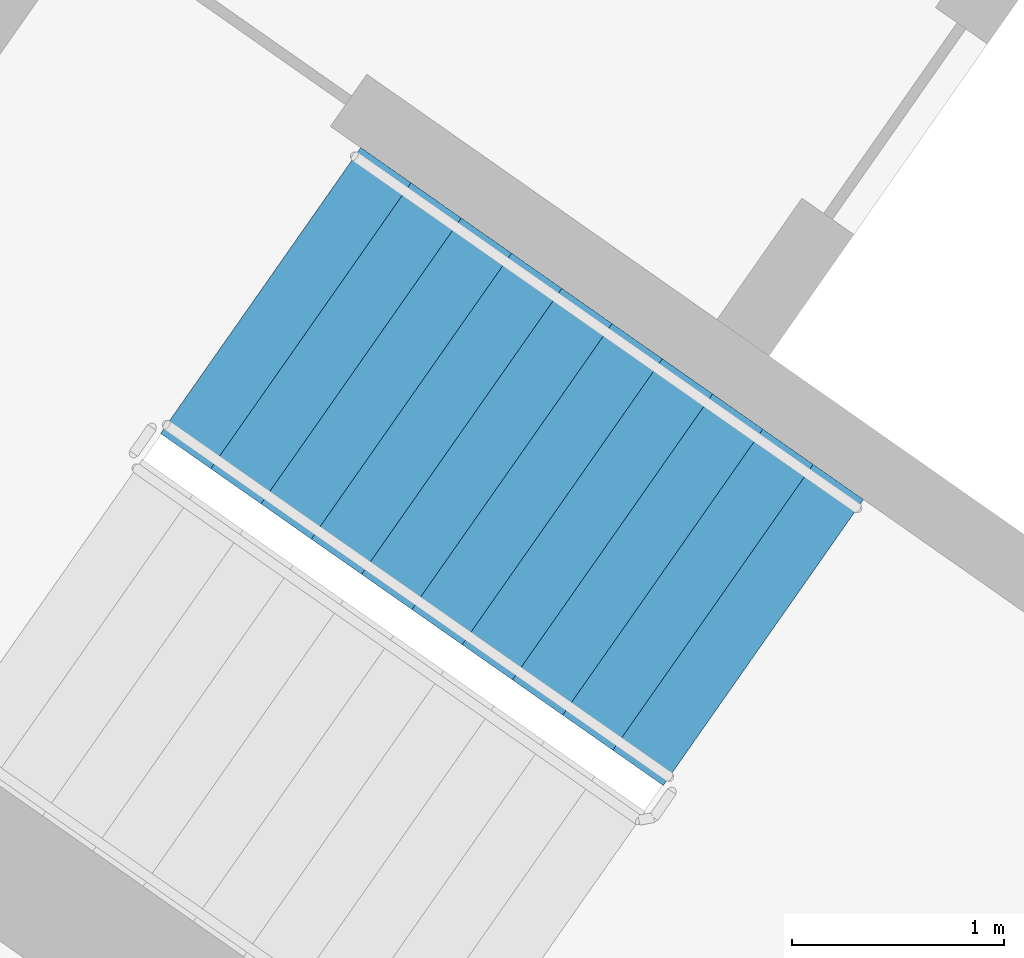
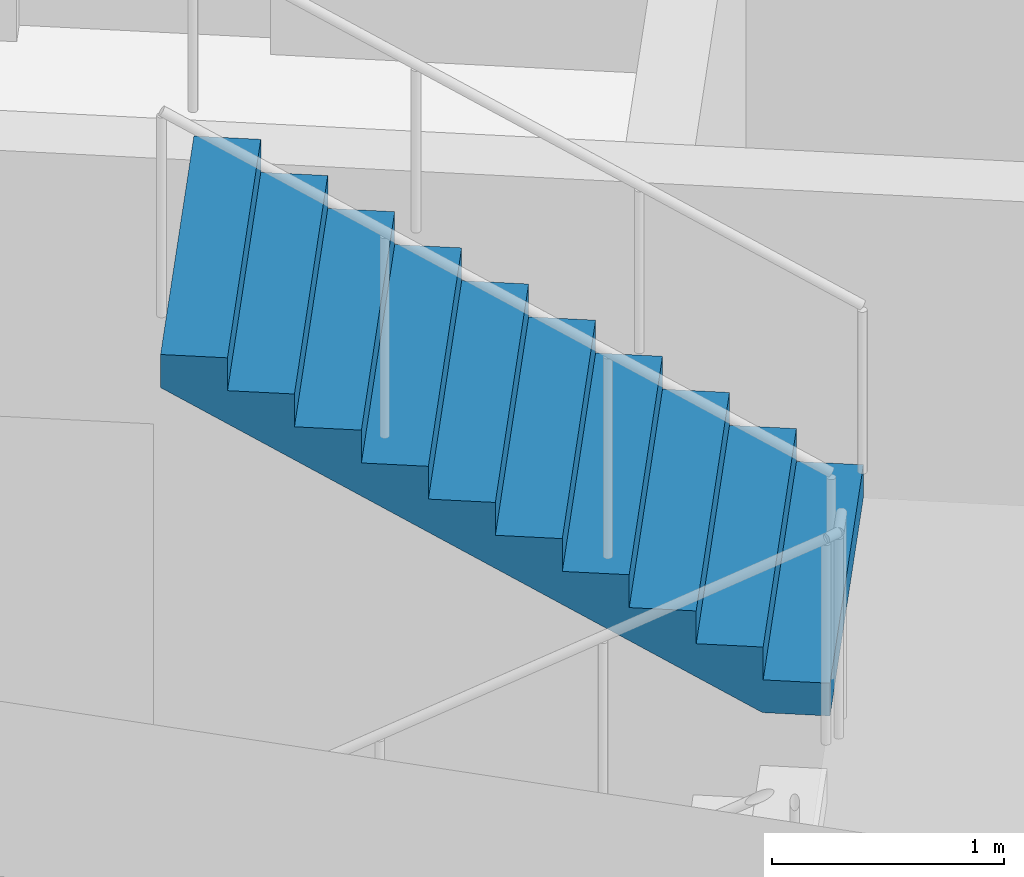
# One storey, part 9 of 29: 1 stair flight, 1 element without a shape of its own.
"""IFC4 building model written with IfcOpenShell, lengths in metres."""

from ifc_helpers import new_model, si_unit, direction, frame, origin, place, context, subcontext, project, spatial, faceted_brep, material, type_object, element, aggregate, save


model = new_model("IFC4")

# Units and contexts
model_context = context("Model", 3, precision=1e-05, world=origin(), true_north=direction((0.0, 1.0)))
body_context = subcontext(model_context, "Body", "Model", "MODEL_VIEW")
ifc_project = project(units=[si_unit("LENGTHUNIT", "METRE"), si_unit("AREAUNIT", "SQUARE_METRE"), si_unit("VOLUMEUNIT", "CUBIC_METRE"), si_unit("PLANEANGLEUNIT", "RADIAN"), si_unit("MASSUNIT", "GRAM", prefix="KILO")], contexts=[model_context])

# Site, building, storey
site_placement = place(None, origin())
site = spatial("IfcSite", under=ifc_project, at=site_placement, CompositionType="ELEMENT")
building_placement = place(site_placement, origin())
building = spatial("IfcBuilding", under=site, at=building_placement, Name="Qamariyya Broadcast Tower", CompositionType="ELEMENT")
storey_placement = place(building_placement, frame((0.0, 0.0, 258.10009765625)))
storey = spatial("IfcBuildingStorey", under=building, at=storey_placement, Name="L62", CompositionType="ELEMENT", Elevation=258.10009765625)

# Stair, stair flight
ifc_material = material(Name="Concrete C50/60", Category="concrete")
stair_type = type_object("IfcStairType", Name="Exit stair 22 risers of 173 mm", PredefinedType="HALF_TURN_STAIR", material=ifc_material)
stair_placement = place(storey_placement, origin())
stair = element("IfcStair", 1, at=stair_placement, inside=storey, type_object=stair_type, Name="L62 Stair W1", PredefinedType="HALF_TURN_STAIR")
stair_flight_type = type_object("IfcStairFlightType", Name="Exit stair flight 11 risers of 173 mm", PredefinedType="STRAIGHT", material=ifc_material)
stair_flight_placement = place(storey_placement, frame((-43.660888671875, -57.17138671875, 1.89990234375), z_axis=(0.0, 0.0, 1.0), x_axis=(-0.819152044289, 0.573576436351, 0.0)))
stair_flight = element("IfcStairFlight", 2, at=stair_flight_placement, type_object=stair_flight_type, Name="ST-W1 flight 2", NumberOfRisers=11, NumberOfTreads=10, PredefinedType="STRAIGHT", RiserHeight=0.172727273, TreadLength=0.29, context=body_context, shape_type="Brep", body=[
    faceted_brep([(0.0, 0.824951171875, 0.0), (0.0, 0.824951171875, 0.172607421875), (0.2900390625, 0.824951171875, 0.172607421875), (0.2900390625, 0.824951171875, 0.345458984375), (0.580078125, 0.824951171875, 0.345458984375), (0.580078125, 0.824951171875, 0.51806640625), (0.8701171875, 0.824951171875, 0.51806640625), (0.8701171875, 0.824951171875, 0.69091796875), (1.159912109375, 0.824951171875, 0.69091796875), (1.159912109375, 0.824951171875, 0.863525390625), (1.449951171875, 0.824951171875, 0.863525390625), (1.449951171875, 0.824951171875, 1.036376953125), (1.739990234375, 0.824951171875, 1.036376953125), (1.739990234375, 0.824951171875, 1.208984375), (2.030029296875, 0.824951171875, 1.208984375), (2.030029296875, 0.824951171875, 1.3818359375), (2.320068359375, 0.824951171875, 1.3818359375), (2.320068359375, 0.824951171875, 1.554443359375), (2.610107421875, 0.824951171875, 1.554443359375), (2.610107421875, 0.824951171875, 1.727294921875), (2.89990234375, 0.824951171875, 1.727294921875), (2.89990234375, 0.824951171875, 1.552734375), (0.29296875, 0.824951171875, 0.0), (0.29296875, -0.824951171875, 0.0), (2.89990234375, -0.824951171875, 1.552734375), (2.89990234375, -0.824951171875, 1.727294921875), (2.610107421875, -0.824951171875, 1.727294921875), (2.610107421875, -0.824951171875, 1.554443359375), (2.320068359375, -0.824951171875, 1.554443359375), (2.320068359375, -0.824951171875, 1.3818359375), (2.030029296875, -0.824951171875, 1.3818359375), (2.030029296875, -0.824951171875, 1.208984375), (1.739990234375, -0.824951171875, 1.208984375), (1.739990234375, -0.824951171875, 1.036376953125), (1.449951171875, -0.824951171875, 1.036376953125), (1.449951171875, -0.824951171875, 0.863525390625), (1.159912109375, -0.824951171875, 0.863525390625), (1.159912109375, -0.824951171875, 0.69091796875), (0.8701171875, -0.824951171875, 0.69091796875), (0.8701171875, -0.824951171875, 0.51806640625), (0.580078125, -0.824951171875, 0.51806640625), (0.580078125, -0.824951171875, 0.345458984375), (0.2900390625, -0.824951171875, 0.345458984375), (0.2900390625, -0.824951171875, 0.172607421875), (0.0, -0.824951171875, 0.172607421875), (0.0, -0.824951171875, 0.0), (0.0, 0.10009765625, 0.0), (0.0, 0.086669921875, 0.0), (0.0, 0.0732421875, 0.0), (0.0, 0.06005859375, 0.0), (0.0, 0.046630859375, 0.0), (0.0, 0.033447265625, 0.0), (0.0, 0.02001953125, 0.0), (0.0, 0.006591796875, 0.0), (0.0, -0.006591796875, 0.0), (0.0, -0.02001953125, 0.0), (0.0, -0.033447265625, 0.0), (0.0, -0.046630859375, 0.0), (0.0, -0.06005859375, 0.0), (0.0, -0.0732421875, 0.0), (0.0, -0.086669921875, 0.0), (0.0, -0.10009765625, 0.0), (0.0, -0.10009765625, 0.172607421875), (0.0, -0.086669921875, 0.172607421875), (0.0, -0.0732421875, 0.172607421875), (0.0, -0.06005859375, 0.172607421875), (0.0, -0.046630859375, 0.172607421875), (0.0, -0.033447265625, 0.172607421875), (0.0, -0.02001953125, 0.172607421875), (0.0, -0.006591796875, 0.172607421875), (0.0, 0.006591796875, 0.172607421875), (0.0, 0.02001953125, 0.172607421875), (0.0, 0.033447265625, 0.172607421875), (0.0, 0.046630859375, 0.172607421875), (0.0, 0.06005859375, 0.172607421875), (0.0, 0.0732421875, 0.172607421875), (0.0, 0.086669921875, 0.172607421875), (0.0, 0.10009765625, 0.172607421875), (0.2900390625, -0.10009765625, 0.172607421875), (0.2900390625, -0.086669921875, 0.172607421875), (0.2900390625, -0.0732421875, 0.172607421875), (0.2900390625, -0.06005859375, 0.172607421875), (0.2900390625, -0.046630859375, 0.172607421875), (0.2900390625, -0.033447265625, 0.172607421875), (0.2900390625, -0.02001953125, 0.172607421875), (0.2900390625, -0.006591796875, 0.172607421875), (0.2900390625, 0.006591796875, 0.172607421875), (0.2900390625, 0.02001953125, 0.172607421875), (0.2900390625, 0.033447265625, 0.172607421875), (0.2900390625, 0.046630859375, 0.172607421875), (0.2900390625, 0.06005859375, 0.172607421875), (0.2900390625, 0.0732421875, 0.172607421875), (0.2900390625, 0.086669921875, 0.172607421875), (0.2900390625, 0.10009765625, 0.172607421875), (0.2900390625, -0.10009765625, 0.345458984375), (0.2900390625, -0.086669921875, 0.345458984375), (0.2900390625, -0.0732421875, 0.345458984375), (0.2900390625, -0.06005859375, 0.345458984375), (0.2900390625, -0.046630859375, 0.345458984375), (0.2900390625, -0.033447265625, 0.345458984375), (0.2900390625, -0.02001953125, 0.345458984375), (0.2900390625, -0.006591796875, 0.345458984375), (0.2900390625, 0.006591796875, 0.345458984375), (0.2900390625, 0.02001953125, 0.345458984375), (0.2900390625, 0.033447265625, 0.345458984375), (0.2900390625, 0.046630859375, 0.345458984375), (0.2900390625, 0.06005859375, 0.345458984375), (0.2900390625, 0.0732421875, 0.345458984375), (0.2900390625, 0.086669921875, 0.345458984375), (0.2900390625, 0.10009765625, 0.345458984375), (0.580078125, -0.10009765625, 0.345458984375), (0.580078125, -0.086669921875, 0.345458984375), (0.580078125, -0.0732421875, 0.345458984375), (0.580078125, -0.06005859375, 0.345458984375), (0.580078125, -0.046630859375, 0.345458984375), (0.580078125, -0.033447265625, 0.345458984375), (0.580078125, -0.02001953125, 0.345458984375), (0.580078125, -0.006591796875, 0.345458984375), (0.580078125, 0.006591796875, 0.345458984375), (0.580078125, 0.02001953125, 0.345458984375), (0.580078125, 0.033447265625, 0.345458984375), (0.580078125, 0.046630859375, 0.345458984375), (0.580078125, 0.06005859375, 0.345458984375), (0.580078125, 0.0732421875, 0.345458984375), (0.580078125, 0.086669921875, 0.345458984375), (0.580078125, 0.10009765625, 0.345458984375), (0.580078125, -0.10009765625, 0.51806640625), (0.580078125, -0.086669921875, 0.51806640625), (0.580078125, -0.0732421875, 0.51806640625), (0.580078125, -0.06005859375, 0.51806640625), (0.580078125, -0.046630859375, 0.51806640625), (0.580078125, -0.033447265625, 0.51806640625), (0.580078125, -0.02001953125, 0.51806640625), (0.580078125, -0.006591796875, 0.51806640625), (0.580078125, 0.006591796875, 0.51806640625), (0.580078125, 0.02001953125, 0.51806640625), (0.580078125, 0.033447265625, 0.51806640625), (0.580078125, 0.046630859375, 0.51806640625), (0.580078125, 0.06005859375, 0.51806640625), (0.580078125, 0.0732421875, 0.51806640625), (0.580078125, 0.086669921875, 0.51806640625), (0.580078125, 0.10009765625, 0.51806640625), (0.8701171875, -0.10009765625, 0.51806640625), (0.8701171875, -0.086669921875, 0.51806640625), (0.8701171875, -0.0732421875, 0.51806640625), (0.8701171875, -0.06005859375, 0.51806640625), (0.8701171875, -0.046630859375, 0.51806640625), (0.8701171875, -0.033447265625, 0.51806640625), (0.8701171875, -0.02001953125, 0.51806640625), (0.8701171875, -0.006591796875, 0.51806640625), (0.8701171875, 0.006591796875, 0.51806640625), (0.8701171875, 0.02001953125, 0.51806640625), (0.8701171875, 0.033447265625, 0.51806640625), (0.8701171875, 0.046630859375, 0.51806640625), (0.8701171875, 0.06005859375, 0.51806640625), (0.8701171875, 0.0732421875, 0.51806640625), (0.8701171875, 0.086669921875, 0.51806640625), (0.8701171875, 0.10009765625, 0.51806640625), (0.8701171875, -0.10009765625, 0.69091796875), (0.8701171875, -0.086669921875, 0.69091796875), (0.8701171875, -0.0732421875, 0.69091796875), (0.8701171875, -0.06005859375, 0.69091796875), (0.8701171875, -0.046630859375, 0.69091796875), (0.8701171875, -0.033447265625, 0.69091796875), (0.8701171875, -0.02001953125, 0.69091796875), (0.8701171875, -0.006591796875, 0.69091796875), (0.8701171875, 0.006591796875, 0.69091796875), (0.8701171875, 0.02001953125, 0.69091796875), (0.8701171875, 0.033447265625, 0.69091796875), (0.8701171875, 0.046630859375, 0.69091796875), (0.8701171875, 0.06005859375, 0.69091796875), (0.8701171875, 0.0732421875, 0.69091796875), (0.8701171875, 0.086669921875, 0.69091796875), (0.8701171875, 0.10009765625, 0.69091796875), (1.159912109375, -0.10009765625, 0.69091796875), (1.159912109375, -0.086669921875, 0.69091796875), (1.159912109375, -0.0732421875, 0.69091796875), (1.159912109375, -0.06005859375, 0.69091796875), (1.159912109375, -0.046630859375, 0.69091796875), (1.159912109375, -0.033447265625, 0.69091796875), (1.159912109375, -0.02001953125, 0.69091796875), (1.159912109375, -0.006591796875, 0.69091796875), (1.159912109375, 0.006591796875, 0.69091796875), (1.159912109375, 0.02001953125, 0.69091796875), (1.159912109375, 0.033447265625, 0.69091796875), (1.159912109375, 0.046630859375, 0.69091796875), (1.159912109375, 0.06005859375, 0.69091796875), (1.159912109375, 0.0732421875, 0.69091796875), (1.159912109375, 0.086669921875, 0.69091796875), (1.159912109375, 0.10009765625, 0.69091796875), (1.159912109375, -0.10009765625, 0.863525390625), (1.159912109375, -0.086669921875, 0.863525390625), (1.159912109375, -0.0732421875, 0.863525390625), (1.159912109375, -0.06005859375, 0.863525390625), (1.159912109375, -0.046630859375, 0.863525390625), (1.159912109375, -0.033447265625, 0.863525390625), (1.159912109375, -0.02001953125, 0.863525390625), (1.159912109375, -0.006591796875, 0.863525390625), (1.159912109375, 0.006591796875, 0.863525390625), (1.159912109375, 0.02001953125, 0.863525390625), (1.159912109375, 0.033447265625, 0.863525390625), (1.159912109375, 0.046630859375, 0.863525390625), (1.159912109375, 0.06005859375, 0.863525390625), (1.159912109375, 0.0732421875, 0.863525390625), (1.159912109375, 0.086669921875, 0.863525390625), (1.159912109375, 0.10009765625, 0.863525390625), (1.449951171875, -0.10009765625, 0.863525390625), (1.449951171875, -0.086669921875, 0.863525390625), (1.449951171875, -0.0732421875, 0.863525390625), (1.449951171875, -0.06005859375, 0.863525390625), (1.449951171875, -0.046630859375, 0.863525390625), (1.449951171875, -0.033447265625, 0.863525390625), (1.449951171875, -0.02001953125, 0.863525390625), (1.449951171875, -0.006591796875, 0.863525390625), (1.449951171875, 0.006591796875, 0.863525390625), (1.449951171875, 0.02001953125, 0.863525390625), (1.449951171875, 0.033447265625, 0.863525390625), (1.449951171875, 0.046630859375, 0.863525390625), (1.449951171875, 0.06005859375, 0.863525390625), (1.449951171875, 0.0732421875, 0.863525390625), (1.449951171875, 0.086669921875, 0.863525390625), (1.449951171875, 0.10009765625, 0.863525390625), (1.449951171875, -0.10009765625, 1.036376953125), (1.449951171875, -0.086669921875, 1.036376953125), (1.449951171875, -0.0732421875, 1.036376953125), (1.449951171875, -0.06005859375, 1.036376953125), (1.449951171875, -0.046630859375, 1.036376953125), (1.449951171875, -0.033447265625, 1.036376953125), (1.449951171875, -0.02001953125, 1.036376953125), (1.449951171875, -0.006591796875, 1.036376953125), (1.449951171875, 0.006591796875, 1.036376953125), (1.449951171875, 0.02001953125, 1.036376953125), (1.449951171875, 0.033447265625, 1.036376953125), (1.449951171875, 0.046630859375, 1.036376953125), (1.449951171875, 0.06005859375, 1.036376953125), (1.449951171875, 0.0732421875, 1.036376953125), (1.449951171875, 0.086669921875, 1.036376953125), (1.449951171875, 0.10009765625, 1.036376953125), (1.739990234375, -0.10009765625, 1.036376953125), (1.739990234375, -0.086669921875, 1.036376953125), (1.739990234375, -0.0732421875, 1.036376953125), (1.739990234375, -0.06005859375, 1.036376953125), (1.739990234375, -0.046630859375, 1.036376953125), (1.739990234375, -0.033447265625, 1.036376953125), (1.739990234375, -0.02001953125, 1.036376953125), (1.739990234375, -0.006591796875, 1.036376953125), (1.739990234375, 0.006591796875, 1.036376953125), (1.739990234375, 0.02001953125, 1.036376953125), (1.739990234375, 0.033447265625, 1.036376953125), (1.739990234375, 0.046630859375, 1.036376953125), (1.739990234375, 0.06005859375, 1.036376953125), (1.739990234375, 0.0732421875, 1.036376953125), (1.739990234375, 0.086669921875, 1.036376953125), (1.739990234375, 0.10009765625, 1.036376953125), (1.739990234375, -0.10009765625, 1.208984375), (1.739990234375, -0.086669921875, 1.208984375), (1.739990234375, -0.0732421875, 1.208984375), (1.739990234375, -0.06005859375, 1.208984375), (1.739990234375, -0.046630859375, 1.208984375), (1.739990234375, -0.033447265625, 1.208984375), (1.739990234375, -0.02001953125, 1.208984375), (1.739990234375, -0.006591796875, 1.208984375), (1.739990234375, 0.006591796875, 1.208984375), (1.739990234375, 0.02001953125, 1.208984375), (1.739990234375, 0.033447265625, 1.208984375), (1.739990234375, 0.046630859375, 1.208984375), (1.739990234375, 0.06005859375, 1.208984375), (1.739990234375, 0.0732421875, 1.208984375), (1.739990234375, 0.086669921875, 1.208984375), (1.739990234375, 0.10009765625, 1.208984375), (2.030029296875, -0.10009765625, 1.208984375), (2.030029296875, -0.086669921875, 1.208984375), (2.030029296875, -0.0732421875, 1.208984375), (2.030029296875, -0.06005859375, 1.208984375), (2.030029296875, -0.046630859375, 1.208984375), (2.030029296875, -0.033447265625, 1.208984375), (2.030029296875, -0.02001953125, 1.208984375), (2.030029296875, -0.006591796875, 1.208984375), (2.030029296875, 0.006591796875, 1.208984375), (2.030029296875, 0.02001953125, 1.208984375), (2.030029296875, 0.033447265625, 1.208984375), (2.030029296875, 0.046630859375, 1.208984375), (2.030029296875, 0.06005859375, 1.208984375), (2.030029296875, 0.0732421875, 1.208984375), (2.030029296875, 0.086669921875, 1.208984375), (2.030029296875, 0.10009765625, 1.208984375), (2.030029296875, -0.10009765625, 1.3818359375), (2.030029296875, -0.086669921875, 1.3818359375), (2.030029296875, -0.0732421875, 1.3818359375), (2.030029296875, -0.06005859375, 1.3818359375), (2.030029296875, -0.046630859375, 1.3818359375), (2.030029296875, -0.033447265625, 1.3818359375), (2.030029296875, -0.02001953125, 1.3818359375), (2.030029296875, -0.006591796875, 1.3818359375), (2.030029296875, 0.006591796875, 1.3818359375), (2.030029296875, 0.02001953125, 1.3818359375), (2.030029296875, 0.033447265625, 1.3818359375), (2.030029296875, 0.046630859375, 1.3818359375), (2.030029296875, 0.06005859375, 1.3818359375), (2.030029296875, 0.0732421875, 1.3818359375), (2.030029296875, 0.086669921875, 1.3818359375), (2.030029296875, 0.10009765625, 1.3818359375), (2.320068359375, -0.10009765625, 1.3818359375), (2.320068359375, -0.086669921875, 1.3818359375), (2.320068359375, -0.0732421875, 1.3818359375), (2.320068359375, -0.06005859375, 1.3818359375), (2.320068359375, -0.046630859375, 1.3818359375), (2.320068359375, -0.033447265625, 1.3818359375), (2.320068359375, -0.02001953125, 1.3818359375), (2.320068359375, -0.006591796875, 1.3818359375), (2.320068359375, 0.006591796875, 1.3818359375), (2.320068359375, 0.02001953125, 1.3818359375), (2.320068359375, 0.033447265625, 1.3818359375), (2.320068359375, 0.046630859375, 1.3818359375), (2.320068359375, 0.06005859375, 1.3818359375), (2.320068359375, 0.0732421875, 1.3818359375), (2.320068359375, 0.086669921875, 1.3818359375), (2.320068359375, 0.10009765625, 1.3818359375), (2.320068359375, -0.10009765625, 1.554443359375), (2.320068359375, -0.086669921875, 1.554443359375), (2.320068359375, -0.0732421875, 1.554443359375), (2.320068359375, -0.06005859375, 1.554443359375), (2.320068359375, -0.046630859375, 1.554443359375), (2.320068359375, -0.033447265625, 1.554443359375), (2.320068359375, -0.02001953125, 1.554443359375), (2.320068359375, -0.006591796875, 1.554443359375), (2.320068359375, 0.006591796875, 1.554443359375), (2.320068359375, 0.02001953125, 1.554443359375), (2.320068359375, 0.033447265625, 1.554443359375), (2.320068359375, 0.046630859375, 1.554443359375), (2.320068359375, 0.06005859375, 1.554443359375), (2.320068359375, 0.0732421875, 1.554443359375), (2.320068359375, 0.086669921875, 1.554443359375), (2.320068359375, 0.10009765625, 1.554443359375), (2.610107421875, -0.10009765625, 1.554443359375), (2.610107421875, -0.086669921875, 1.554443359375), (2.610107421875, -0.0732421875, 1.554443359375), (2.610107421875, -0.06005859375, 1.554443359375), (2.610107421875, -0.046630859375, 1.554443359375), (2.610107421875, -0.033447265625, 1.554443359375), (2.610107421875, -0.02001953125, 1.554443359375), (2.610107421875, -0.006591796875, 1.554443359375), (2.610107421875, 0.006591796875, 1.554443359375), (2.610107421875, 0.02001953125, 1.554443359375), (2.610107421875, 0.033447265625, 1.554443359375), (2.610107421875, 0.046630859375, 1.554443359375), (2.610107421875, 0.06005859375, 1.554443359375), (2.610107421875, 0.0732421875, 1.554443359375), (2.610107421875, 0.086669921875, 1.554443359375), (2.610107421875, 0.10009765625, 1.554443359375), (2.610107421875, -0.10009765625, 1.727294921875), (2.610107421875, -0.086669921875, 1.727294921875), (2.610107421875, -0.0732421875, 1.727294921875), (2.610107421875, -0.06005859375, 1.727294921875), (2.610107421875, -0.046630859375, 1.727294921875), (2.610107421875, -0.033447265625, 1.727294921875), (2.610107421875, -0.02001953125, 1.727294921875), (2.610107421875, -0.006591796875, 1.727294921875), (2.610107421875, 0.006591796875, 1.727294921875), (2.610107421875, 0.02001953125, 1.727294921875), (2.610107421875, 0.033447265625, 1.727294921875), (2.610107421875, 0.046630859375, 1.727294921875), (2.610107421875, 0.06005859375, 1.727294921875), (2.610107421875, 0.0732421875, 1.727294921875), (2.610107421875, 0.086669921875, 1.727294921875), (2.610107421875, 0.10009765625, 1.727294921875), (2.89990234375, -0.10009765625, 1.727294921875), (2.89990234375, -0.086669921875, 1.727294921875), (2.89990234375, -0.0732421875, 1.727294921875), (2.89990234375, -0.06005859375, 1.727294921875), (2.89990234375, -0.046630859375, 1.727294921875), (2.89990234375, -0.033447265625, 1.727294921875), (2.89990234375, -0.02001953125, 1.727294921875), (2.89990234375, -0.006591796875, 1.727294921875), (2.89990234375, 0.006591796875, 1.727294921875), (2.89990234375, 0.02001953125, 1.727294921875), (2.89990234375, 0.033447265625, 1.727294921875), (2.89990234375, 0.046630859375, 1.727294921875), (2.89990234375, 0.06005859375, 1.727294921875), (2.89990234375, 0.0732421875, 1.727294921875), (2.89990234375, 0.086669921875, 1.727294921875), (2.89990234375, 0.10009765625, 1.727294921875), (2.89990234375, -0.10009765625, 1.552734375), (2.89990234375, -0.086669921875, 1.552734375), (2.89990234375, -0.0732421875, 1.552734375), (2.89990234375, -0.06005859375, 1.552734375), (2.89990234375, -0.046630859375, 1.552734375), (2.89990234375, -0.033447265625, 1.552734375), (2.89990234375, -0.02001953125, 1.552734375), (2.89990234375, -0.006591796875, 1.552734375), (2.89990234375, 0.006591796875, 1.552734375), (2.89990234375, 0.02001953125, 1.552734375), (2.89990234375, 0.033447265625, 1.552734375), (2.89990234375, 0.046630859375, 1.552734375), (2.89990234375, 0.06005859375, 1.552734375), (2.89990234375, 0.0732421875, 1.552734375), (2.89990234375, 0.086669921875, 1.552734375), (2.89990234375, 0.10009765625, 1.552734375), (0.29296875, -0.10009765625, 0.0), (0.29296875, -0.086669921875, 0.0), (0.29296875, -0.0732421875, 0.0), (0.29296875, -0.06005859375, 0.0), (0.29296875, -0.046630859375, 0.0), (0.29296875, -0.033447265625, 0.0), (0.29296875, -0.02001953125, 0.0), (0.29296875, -0.006591796875, 0.0), (0.29296875, 0.006591796875, 0.0), (0.29296875, 0.02001953125, 0.0), (0.29296875, 0.033447265625, 0.0), (0.29296875, 0.046630859375, 0.0), (0.29296875, 0.06005859375, 0.0), (0.29296875, 0.0732421875, 0.0), (0.29296875, 0.086669921875, 0.0), (0.29296875, 0.10009765625, 0.0)], [[[0, 1, 2, 3, 4, 5, 6, 7, 8, 9, 10, 11, 12, 13, 14, 15, 16, 17, 18, 19, 20, 21, 22]], [[23, 24, 25, 26, 27, 28, 29, 30, 31, 32, 33, 34, 35, 36, 37, 38, 39, 40, 41, 42, 43, 44, 45]], [[0, 46, 47, 48, 49, 50, 51, 52, 53, 54, 55, 56, 57, 58, 59, 60, 61, 45, 44, 62, 63, 64, 65, 66, 67, 68, 69, 70, 71, 72, 73, 74, 75, 76, 77, 1]], [[1, 77, 76, 75, 74, 73, 72, 71, 70, 69, 68, 67, 66, 65, 64, 63, 62, 44, 43, 78, 79, 80, 81, 82, 83, 84, 85, 86, 87, 88, 89, 90, 91, 92, 93, 2]], [[2, 93, 92, 91, 90, 89, 88, 87, 86, 85, 84, 83, 82, 81, 80, 79, 78, 43, 42, 94, 95, 96, 97, 98, 99, 100, 101, 102, 103, 104, 105, 106, 107, 108, 109, 3]], [[3, 109, 108, 107, 106, 105, 104, 103, 102, 101, 100, 99, 98, 97, 96, 95, 94, 42, 41, 110, 111, 112, 113, 114, 115, 116, 117, 118, 119, 120, 121, 122, 123, 124, 125, 4]], [[4, 125, 124, 123, 122, 121, 120, 119, 118, 117, 116, 115, 114, 113, 112, 111, 110, 41, 40, 126, 127, 128, 129, 130, 131, 132, 133, 134, 135, 136, 137, 138, 139, 140, 141, 5]], [[5, 141, 140, 139, 138, 137, 136, 135, 134, 133, 132, 131, 130, 129, 128, 127, 126, 40, 39, 142, 143, 144, 145, 146, 147, 148, 149, 150, 151, 152, 153, 154, 155, 156, 157, 6]], [[6, 157, 156, 155, 154, 153, 152, 151, 150, 149, 148, 147, 146, 145, 144, 143, 142, 39, 38, 158, 159, 160, 161, 162, 163, 164, 165, 166, 167, 168, 169, 170, 171, 172, 173, 7]], [[7, 173, 172, 171, 170, 169, 168, 167, 166, 165, 164, 163, 162, 161, 160, 159, 158, 38, 37, 174, 175, 176, 177, 178, 179, 180, 181, 182, 183, 184, 185, 186, 187, 188, 189, 8]], [[8, 189, 188, 187, 186, 185, 184, 183, 182, 181, 180, 179, 178, 177, 176, 175, 174, 37, 36, 190, 191, 192, 193, 194, 195, 196, 197, 198, 199, 200, 201, 202, 203, 204, 205, 9]], [[9, 205, 204, 203, 202, 201, 200, 199, 198, 197, 196, 195, 194, 193, 192, 191, 190, 36, 35, 206, 207, 208, 209, 210, 211, 212, 213, 214, 215, 216, 217, 218, 219, 220, 221, 10]], [[10, 221, 220, 219, 218, 217, 216, 215, 214, 213, 212, 211, 210, 209, 208, 207, 206, 35, 34, 222, 223, 224, 225, 226, 227, 228, 229, 230, 231, 232, 233, 234, 235, 236, 237, 11]], [[11, 237, 236, 235, 234, 233, 232, 231, 230, 229, 228, 227, 226, 225, 224, 223, 222, 34, 33, 238, 239, 240, 241, 242, 243, 244, 245, 246, 247, 248, 249, 250, 251, 252, 253, 12]], [[12, 253, 252, 251, 250, 249, 248, 247, 246, 245, 244, 243, 242, 241, 240, 239, 238, 33, 32, 254, 255, 256, 257, 258, 259, 260, 261, 262, 263, 264, 265, 266, 267, 268, 269, 13]], [[13, 269, 268, 267, 266, 265, 264, 263, 262, 261, 260, 259, 258, 257, 256, 255, 254, 32, 31, 270, 271, 272, 273, 274, 275, 276, 277, 278, 279, 280, 281, 282, 283, 284, 285, 14]], [[14, 285, 284, 283, 282, 281, 280, 279, 278, 277, 276, 275, 274, 273, 272, 271, 270, 31, 30, 286, 287, 288, 289, 290, 291, 292, 293, 294, 295, 296, 297, 298, 299, 300, 301, 15]], [[15, 301, 300, 299, 298, 297, 296, 295, 294, 293, 292, 291, 290, 289, 288, 287, 286, 30, 29, 302, 303, 304, 305, 306, 307, 308, 309, 310, 311, 312, 313, 314, 315, 316, 317, 16]], [[16, 317, 316, 315, 314, 313, 312, 311, 310, 309, 308, 307, 306, 305, 304, 303, 302, 29, 28, 318, 319, 320, 321, 322, 323, 324, 325, 326, 327, 328, 329, 330, 331, 332, 333, 17]], [[17, 333, 332, 331, 330, 329, 328, 327, 326, 325, 324, 323, 322, 321, 320, 319, 318, 28, 27, 334, 335, 336, 337, 338, 339, 340, 341, 342, 343, 344, 345, 346, 347, 348, 349, 18]], [[18, 349, 348, 347, 346, 345, 344, 343, 342, 341, 340, 339, 338, 337, 336, 335, 334, 27, 26, 350, 351, 352, 353, 354, 355, 356, 357, 358, 359, 360, 361, 362, 363, 364, 365, 19]], [[19, 365, 364, 363, 362, 361, 360, 359, 358, 357, 356, 355, 354, 353, 352, 351, 350, 26, 25, 366, 367, 368, 369, 370, 371, 372, 373, 374, 375, 376, 377, 378, 379, 380, 381, 20]], [[20, 381, 380, 379, 378, 377, 376, 375, 374, 373, 372, 371, 370, 369, 368, 367, 366, 25, 24, 382, 383, 384, 385, 386, 387, 388, 389, 390, 391, 392, 393, 394, 395, 396, 397, 21]], [[21, 397, 396, 395, 394, 393, 392, 391, 390, 389, 388, 387, 386, 385, 384, 383, 382, 24, 23, 398, 399, 400, 401, 402, 403, 404, 405, 406, 407, 408, 409, 410, 411, 412, 413, 22]], [[22, 413, 412, 411, 410, 409, 408, 407, 406, 405, 404, 403, 402, 401, 400, 399, 398, 23, 45, 61, 60, 59, 58, 57, 56, 55, 54, 53, 52, 51, 50, 49, 48, 47, 46, 0]]]),
])
aggregate(stair, [stair_flight])

save(model, "model.ifc")
